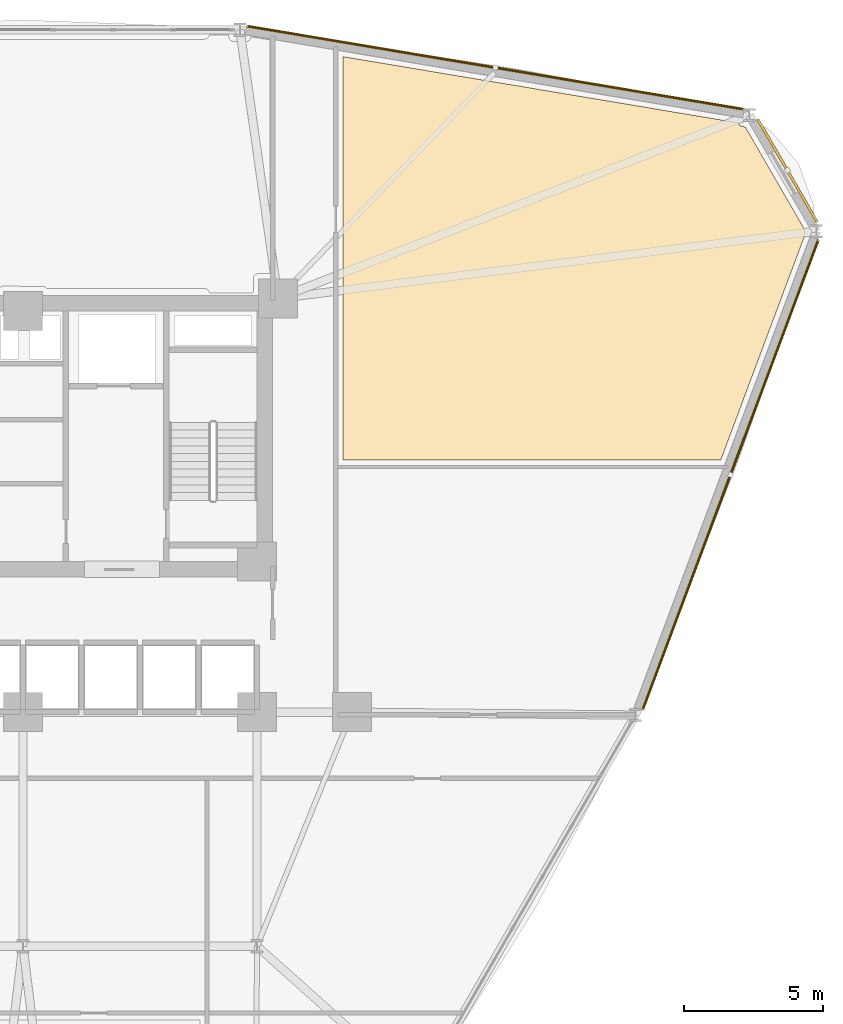
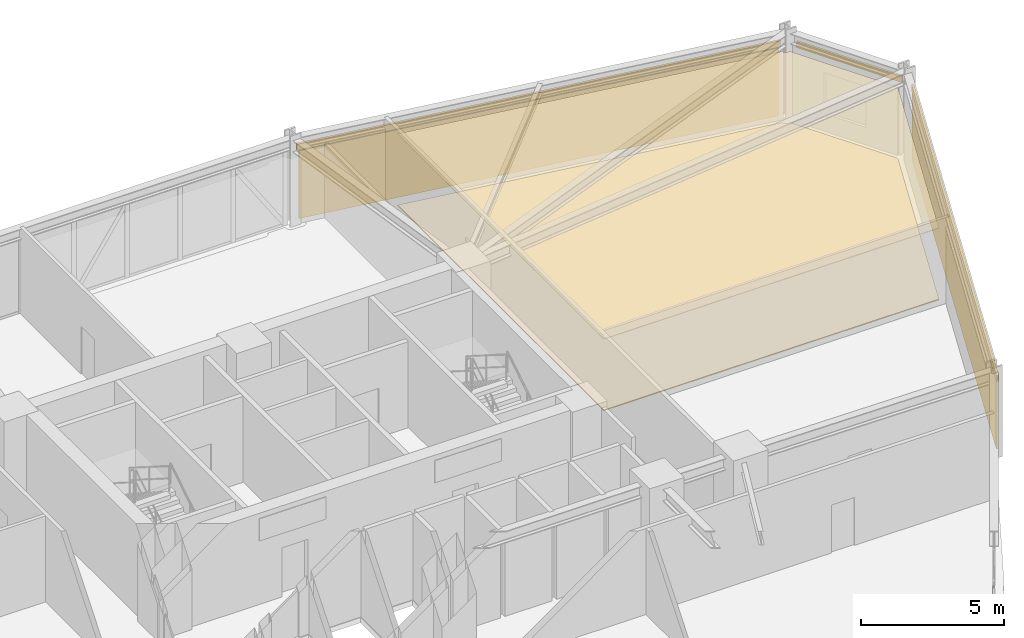
# One storey, part 22 of 22: 4 coverings, 3 shading devices.
"""IFC4 building model written with IfcOpenShell, lengths in metres."""

from ifc_helpers import new_model, si_unit, derived_unit, direction, frame, origin, origin_2d, place, context, subcontext, project, spatial, polyline, hollow_rectangle, outline, extrude, source, transform, mapped, material, layer, layer_set, material_profile, profile_set, type_object, element, save


model = new_model("IFC4")

# Units and contexts
model_context = context("Model", 3, precision=1e-05, world=origin(), true_north=direction((0.0, 1.0)))
body_context = subcontext(model_context, "Body", "Model", "MODEL_VIEW")
ifc_project = project(units=[si_unit("LENGTHUNIT", "METRE"), si_unit("AREAUNIT", "SQUARE_METRE"), si_unit("VOLUMEUNIT", "CUBIC_METRE"), si_unit("PLANEANGLEUNIT", "RADIAN"), si_unit("MASSUNIT", "GRAM", prefix="KILO"), derived_unit("THERMALTRANSMITTANCEUNIT", [(si_unit("POWERUNIT", "WATT"), 1), (si_unit("LENGTHUNIT", "METRE"), -2), (si_unit("THERMODYNAMICTEMPERATUREUNIT", "KELVIN"), -1)])], contexts=[model_context])

# Site, building, storey
site_placement = place(None, origin())
site = spatial("IfcSite", under=ifc_project, at=site_placement, CompositionType="ELEMENT")
building_placement = place(site_placement, origin())
building = spatial("IfcBuilding", under=site, at=building_placement, Name="Korsvarv Bourse and Concert Hall", CompositionType="ELEMENT")
storey_placement = place(building_placement, frame((0.0, 0.0, 51.300048828125)))
storey = spatial("IfcBuildingStorey", under=building, at=storey_placement, Name="L12", CompositionType="ELEMENT", Elevation=51.300048828125)

# Coverings
ifc_material_1 = material(Name="Perforated mineral-wool and birch acoustic baffle ceiling", Category="wood")
ifc_layer_1 = layer(ifc_material_1, 0.02490234375)
ifc_layer_set_1 = layer_set([ifc_layer_1], Name="Perforated mineral-wool and birch acoustic baffle ceiling")
covering_type_1 = type_object("IfcCoveringType", Name="COV-CEIL-1", PredefinedType="CEILING", material=ifc_layer_set_1)
covering_1_placement = place(storey_placement, frame((0.0, 0.0, 3.06005859375)))
element("IfcCovering", 1, at=covering_1_placement, inside=storey, type_object=covering_type_1, Name="L12 acoustic baffle ceiling 1", PredefinedType="CEILING", context=body_context, shape_type="SweptSolid", body=[
    extrude(outline(polyline([(47.47998046875, 55.92626953125), (61.672119140625, 53.55029296875), (61.681640625, 53.520751953125), (61.69921875, 53.489013671875), (61.722900390625, 53.46142578125), (61.75146484375, 53.439208984375), (61.783935546875, 53.4228515625), (61.819091796875, 53.413818359375), (61.919921875, 53.4072265625), (64.072509765625, 49.6787109375), (64.072509765625, 49.55810546875), (61.041748046875, 41.449951171875), (47.47998046875, 41.449951171875), (47.47998046875, 55.92626953125)])), origin(), (0.0, 0.0, 1.0), 0.02490234375),
])
ifc_material_2 = material(Name="Warm iron-oxide extruded terracotta rainscreen tile", Category="ceramic")
ifc_layer_2 = layer(ifc_material_2, 0.044921875)
ifc_layer_set_2 = layer_set([ifc_layer_2], Name="Warm iron-oxide extruded terracotta rainscreen tile")
covering_type_2 = type_object("IfcCoveringType", Name="COV-CLD-TC", PredefinedType="CLADDING", material=ifc_layer_set_2)
covering_2_placement = place(storey_placement, origin())
element("IfcCovering", 2, at=covering_2_placement, inside=storey, type_object=covering_type_2, Name="L12 fluted terracotta cladding panel EW-L12-B02", PredefinedType="CLADDING", context=body_context, shape_type="SweptSolid", body=[
    extrude(outline(polyline([(61.795654296875, 54.01123046875), (44.102783203125, 56.97314453125), (44.1103515625, 57.017578125), (61.802978515625, 54.055419921875), (61.795654296875, 54.01123046875)])), origin(), (0.0, 0.0, 1.0), 2.909912109375),
])
covering_3_placement = place(storey_placement, origin())
element("IfcCovering", 3, at=covering_3_placement, inside=storey, type_object=covering_type_2, Name="L12 fluted terracotta cladding panel EW-L12-B12", PredefinedType="CLADDING", context=body_context, shape_type="SweptSolid", body=[
    extrude(outline(polyline([(58.228271484375, 32.566650390625), (64.482421875, 49.298095703125), (64.524658203125, 49.282470703125), (58.270263671875, 32.55078125), (58.228271484375, 32.566650390625)])), origin(), (0.0, 0.0, 1.0), 2.909912109375),
])
ifc_material_3 = material(Name="Calcium-sulphate raised access trading floor with Nordic oak top", Category="wood")
ifc_layer_3 = layer(ifc_material_3, 0.0400390625)
ifc_layer_set_3 = layer_set([ifc_layer_3], Name="Calcium-sulphate raised access trading floor with Nordic oak top")
covering_type_3 = type_object("IfcCoveringType", Name="COV-FLOR-1", PredefinedType="FLOORING", material=ifc_layer_set_3)
covering_4_placement = place(storey_placement, origin())
element("IfcCovering", 4, at=covering_4_placement, inside=storey, type_object=covering_type_3, Name="L12 raised access oak floor finish 1", PredefinedType="FLOORING", context=body_context, shape_type="SweptSolid", body=[
    extrude(outline(polyline([(47.47998046875, 55.92626953125), (61.672119140625, 53.55029296875), (61.681640625, 53.520751953125), (61.69921875, 53.489013671875), (61.722900390625, 53.46142578125), (61.75146484375, 53.439208984375), (61.783935546875, 53.4228515625), (61.819091796875, 53.413818359375), (61.919921875, 53.4072265625), (64.072509765625, 49.6787109375), (64.072509765625, 49.55810546875), (61.041748046875, 41.449951171875), (47.47998046875, 41.449951171875), (47.47998046875, 55.92626953125)])), origin(), (0.0, 0.0, 1.0), 0.0400390625),
])

# Shading devices
ifc_material_4 = material(Name="Glazed extruded architectural terracotta", Category="ceramic")
ifc_material_profile = material_profile(ifc_material_4, hollow_rectangle(XDim=0.090087890625, YDim=0.260009765625, WallThickness=0.011962890625, at=origin_2d()), Name="TC-BAG 90x260")
ifc_profile_set = profile_set([ifc_material_profile], Name="Glazed extruded architectural terracotta")
shading_device_type = type_object("IfcShadingDeviceType", Name="SHD-BAG-1", PredefinedType="USERDEFINED", material=ifc_profile_set)
shared_shape_1 = source(origin(), body_context, "Body", "SweptSolid", [
    extrude(hollow_rectangle(XDim=0.090087890625, YDim=0.260009765625, WallThickness=0.011962890625, at=origin_2d()), origin(), (0.0, 0.0, 1.0), 4.251708984375),
])
shading_device_1_placement = place(storey_placement, frame((64.4951171875, 49.996826171875, 3.070068359375), z_axis=(-0.500017365573, 0.866015377534, 0.0), x_axis=(-0.866015377534, -0.500017365573, 0.0)))
element("IfcShadingDevice", 5, at=shading_device_1_placement, inside=storey, type_object=shading_device_type, Name="L12 terracotta baguette sunshade EW-L12-B01", ObjectType="BAGUETTE", PredefinedType="USERDEFINED", context=body_context, shape_type="MappedRepresentation", body=[
    mapped(shared_shape_1, transform((0.0, 0.0, 0.0), scale=1.0)),
])
shared_shape_2 = source(origin(), body_context, "Body", "SweptSolid", [
    extrude(hollow_rectangle(XDim=0.090087890625, YDim=0.260009765625, WallThickness=0.011962890625, at=origin_2d()), origin(), (0.0, 0.0, 1.0), 18.09912109375),
])
shading_device_2_placement = place(storey_placement, frame((61.881103515625, 54.037353515625, 3.070068359375), z_axis=(-0.986273350987, 0.165120795577, 0.0), x_axis=(-0.165120795577, -0.986273350987, 0.0)))
element("IfcShadingDevice", 6, at=shading_device_2_placement, inside=storey, type_object=shading_device_type, Name="L12 terracotta baguette sunshade EW-L12-B02", ObjectType="BAGUETTE", PredefinedType="USERDEFINED", context=body_context, shape_type="MappedRepresentation", body=[
    mapped(shared_shape_2, transform((0.0, 0.0, 0.0), scale=1.0)),
])
shared_shape_3 = source(origin(), body_context, "Body", "SweptSolid", [
    extrude(hollow_rectangle(XDim=0.090087890625, YDim=0.260009765625, WallThickness=0.011962890625, at=origin_2d()), origin(), (0.0, 0.0, 1.0), 18.022216796875),
])
shading_device_3_placement = place(storey_placement, frame((58.237548828125, 32.477783203125, 3.070068359375), z_axis=(0.350152351757, 0.936692762094, 0.0), x_axis=(-0.936692762094, 0.350152351757, 0.0)))
element("IfcShadingDevice", 7, at=shading_device_3_placement, inside=storey, type_object=shading_device_type, Name="L12 terracotta baguette sunshade EW-L12-B12", ObjectType="BAGUETTE", PredefinedType="USERDEFINED", context=body_context, shape_type="MappedRepresentation", body=[
    mapped(shared_shape_3, transform((0.0, 0.0, 0.0), scale=1.0)),
])

save(model, "model.ifc")
